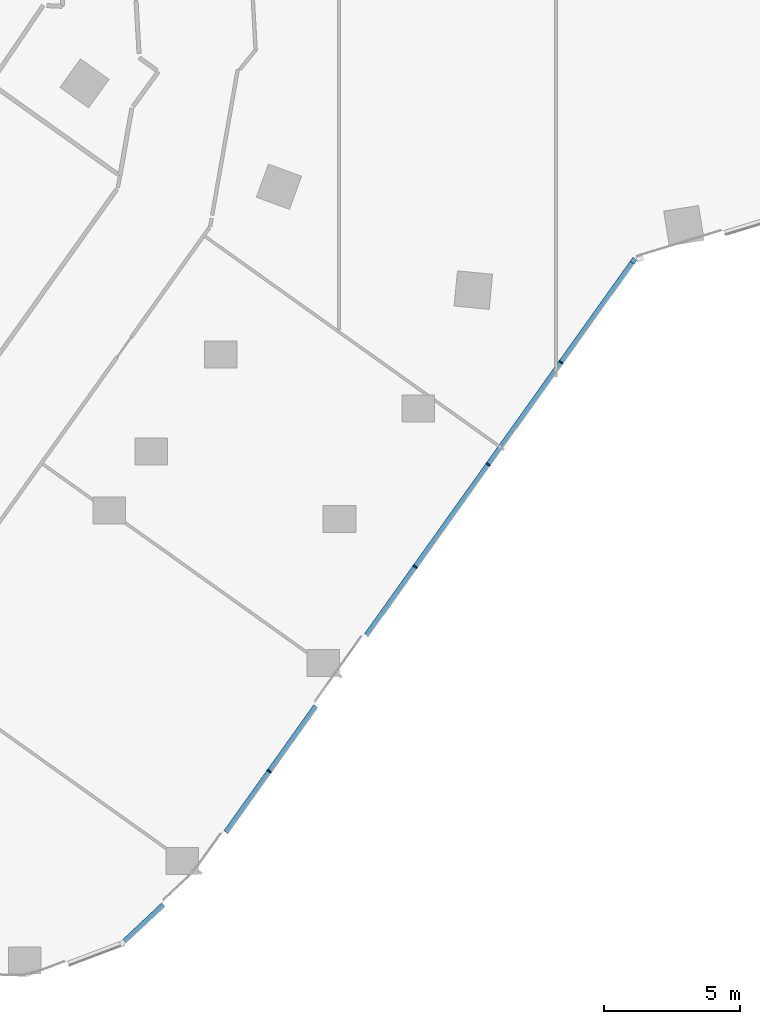
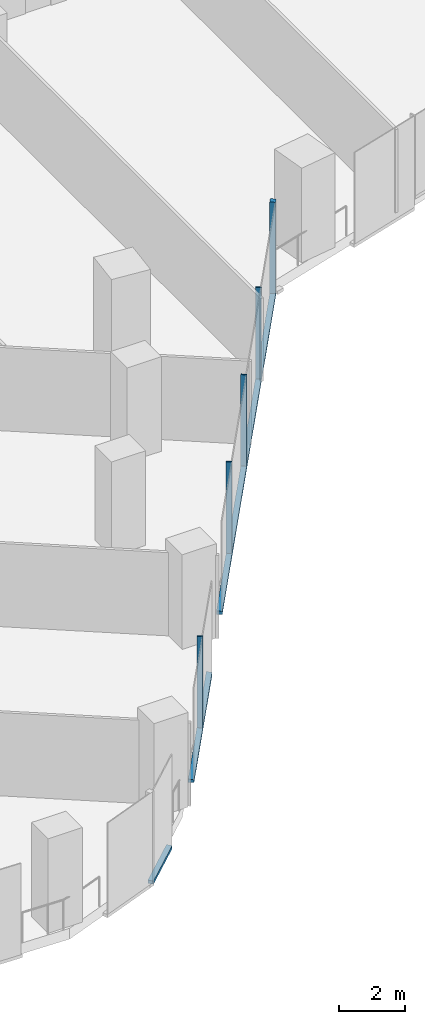
# One storey, part 4 of 30: 8 members, 2 elements without a shape of their own.
"""IFC4 building model written with IfcOpenShell, lengths in metres."""

from ifc_helpers import new_model, si_unit, direction, frame, origin, origin_2d, place, context, subcontext, project, spatial, rectangle, extrude, material, material_profile, profile_set, type_object, element, aggregate, save


model = new_model("IFC4")

# Units and contexts
model_context = context("Model", 3, precision=1e-05, world=origin(), true_north=direction((0.0, 1.0)))
body_context = subcontext(model_context, "Body", "Model", "MODEL_VIEW")
ifc_project = project(units=[si_unit("LENGTHUNIT", "METRE"), si_unit("AREAUNIT", "SQUARE_METRE"), si_unit("VOLUMEUNIT", "CUBIC_METRE"), si_unit("PLANEANGLEUNIT", "RADIAN"), si_unit("MASSUNIT", "GRAM", prefix="KILO")], contexts=[model_context])

# Site, building, storey
site_placement = place(None, origin())
site = spatial("IfcSite", under=ifc_project, at=site_placement, CompositionType="ELEMENT")
building_placement = place(site_placement, origin())
building = spatial("IfcBuilding", under=site, at=building_placement, Name="Orlundy Tower", CompositionType="ELEMENT")
storey_placement = place(building_placement, frame((0.0, 0.0, 80.699951171875)))
storey = spatial("IfcBuildingStorey", under=building, at=storey_placement, Name="L19", CompositionType="ELEMENT", Elevation=80.699951171875)

# Curtain wall, members
ifc_material_1 = material(Name="Aluminium bronze anodised", Category="aluminium")
curtain_wall_type = type_object("IfcCurtainWallType", Name="CW1 wall", PredefinedType="NOTDEFINED", material=ifc_material_1)
curtain_wall_1_placement = place(storey_placement, origin())
curtain_wall_1 = element("IfcCurtainWall", 1, at=curtain_wall_1_placement, inside=storey, type_object=curtain_wall_type, Name="CW1 run 018", PredefinedType="NOTDEFINED")
ifc_material_2 = material(Name="Aluminium bronze anodised", Category="aluminium")
ifc_material_profile_1 = material_profile(ifc_material_2, rectangle(XDim=0.179931640625, YDim=0.179931640625, at=origin_2d()), Name="CW1 corner post 180x180")
ifc_profile_set_1 = profile_set([ifc_material_profile_1], Name="Aluminium bronze anodised")
member_type_1 = type_object("IfcMemberType", Name="CW1 corner post 180x180", PredefinedType="MULLION", material=ifc_profile_set_1)
member_1_placement = place(storey_placement, frame((2.8564453125, -30.591064453125, -0.39990234375), z_axis=(0.0, 0.0, 1.0), x_axis=(0.814110230009, -0.580710369629, 0.0)))
member_1 = element("IfcMember", 2, at=member_1_placement, type_object=member_type_1, Name="CW1 mullion 51", PredefinedType="MULLION", context=body_context, shape_type="SweptSolid", body=[
    extrude(rectangle(XDim=0.179931640625, YDim=0.179931640625, at=origin_2d()), origin(), (0.0, 0.0, 1.0), 3.5),
])
ifc_material_3 = material(Name="Aluminium bronze anodised", Category="aluminium")
ifc_material_profile_2 = material_profile(ifc_material_3, rectangle(XDim=0.179931640625, YDim=0.050048828125, at=origin_2d()), Name="CW1 mullion 50x180")
ifc_profile_set_2 = profile_set([ifc_material_profile_2], Name="Aluminium bronze anodised")
member_type_2 = type_object("IfcMemberType", Name="CW1 mullion 50x180", PredefinedType="MULLION", material=ifc_profile_set_2)
member_2_placement = place(storey_placement, frame((0.18505859375, -34.336181640625, -0.39990234375), z_axis=(0.0, 0.0, 1.0), x_axis=(0.814110230009, -0.580710369629, 0.0)))
member_2 = element("IfcMember", 3, at=member_2_placement, type_object=member_type_2, Name="CW1 mullion 52", PredefinedType="MULLION", context=body_context, shape_type="SweptSolid", body=[
    extrude(rectangle(XDim=0.179931640625, YDim=0.050048828125, at=origin_2d()), origin(), (0.0, 0.0, 1.0), 3.5),
])
member_3_placement = place(storey_placement, frame((-2.504150390625, -38.106201171875, -0.39990234375), z_axis=(0.0, 0.0, 1.0), x_axis=(0.814110230009, -0.580710369629, 0.0)))
member_3 = element("IfcMember", 4, at=member_3_placement, type_object=member_type_2, Name="CW1 mullion 53", PredefinedType="MULLION", context=body_context, shape_type="SweptSolid", body=[
    extrude(rectangle(XDim=0.179931640625, YDim=0.050048828125, at=origin_2d()), origin(), (0.0, 0.0, 1.0), 3.5),
])
member_4_placement = place(storey_placement, frame((-5.193115234375, -41.876220703125, -0.39990234375), z_axis=(0.0, 0.0, 1.0), x_axis=(0.814110230009, -0.580710369629, 0.0)))
member_4 = element("IfcMember", 5, at=member_4_placement, type_object=member_type_2, Name="CW1 mullion 54", PredefinedType="MULLION", context=body_context, shape_type="SweptSolid", body=[
    extrude(rectangle(XDim=0.179931640625, YDim=0.050048828125, at=origin_2d()), origin(), (0.0, 0.0, 1.0), 3.5),
])
member_5_placement = place(storey_placement, frame((-10.571533203125, -49.416259765625, -0.39990234375), z_axis=(0.0, 0.0, 1.0), x_axis=(0.814110230009, -0.580710369629, 0.0)))
member_5 = element("IfcMember", 6, at=member_5_placement, type_object=member_type_2, Name="CW1 mullion 56", PredefinedType="MULLION", context=body_context, shape_type="SweptSolid", body=[
    extrude(rectangle(XDim=0.179931640625, YDim=0.050048828125, at=origin_2d()), origin(), (0.0, 0.0, 1.0), 3.5),
])
ifc_material_4 = material(Name="Aluminium bronze anodised", Category="aluminium")
ifc_material_profile_3 = material_profile(ifc_material_4, rectangle(XDim=0.179931640625, YDim=0.1201171875, at=origin_2d()), Name="CW1 transom 180x120")
ifc_profile_set_3 = profile_set([ifc_material_profile_3], Name="Aluminium bronze anodised")
member_type_3 = type_object("IfcMemberType", Name="CW1 transom 180x120", PredefinedType="USERDEFINED", material=ifc_profile_set_3)
member_6_placement = place(storey_placement, frame((2.80419921875, -30.664306640625, -0.33984375), z_axis=(-0.580706839072, -0.814112748368, 0.0), x_axis=(0.814112748368, -0.580706839072, 0.0)))
member_6 = element("IfcMember", 7, at=member_6_placement, type_object=member_type_3, Name="CW1 transom", ObjectType="TRANSOM", PredefinedType="USERDEFINED", context=body_context, shape_type="SweptSolid", body=[
    extrude(rectangle(XDim=0.179931640625, YDim=0.1201171875, at=origin_2d()), origin(), (0.0, 0.0, 1.0), 16.86767578125),
])
member_7_placement = place(storey_placement, frame((-8.859375, -47.01611328125, -0.33984375), z_axis=(-0.580728459984, -0.814097325732, 0.0), x_axis=(0.814097325732, -0.580728459984, 0.0)))
member_7 = element("IfcMember", 8, at=member_7_placement, type_object=member_type_3, Name="CW1 transom", ObjectType="TRANSOM", PredefinedType="USERDEFINED", context=body_context, shape_type="SweptSolid", body=[
    extrude(rectangle(XDim=0.179931640625, YDim=0.1201171875, at=origin_2d()), origin(), (0.0, 0.0, 1.0), 5.7099609375),
])
aggregate(curtain_wall_1, [member_1, member_2, member_3, member_4, member_5, member_6, member_7])

# Curtain wall, member
curtain_wall_2_placement = place(storey_placement, origin())
curtain_wall_2 = element("IfcCurtainWall", 9, at=curtain_wall_2_placement, inside=storey, type_object=curtain_wall_type, Name="CW1 run 019", PredefinedType="NOTDEFINED")
member_8_placement = place(storey_placement, frame((-14.482666015625, -54.338623046875, -0.33984375), z_axis=(-0.728218233803, -0.685345317308, 0.0), x_axis=(0.685345317308, -0.728218233803, 0.0)))
member_8 = element("IfcMember", 10, at=member_8_placement, type_object=member_type_3, Name="CW1 transom", ObjectType="TRANSOM", PredefinedType="USERDEFINED", context=body_context, shape_type="SweptSolid", body=[
    extrude(rectangle(XDim=0.179931640625, YDim=0.1201171875, at=origin_2d()), origin(), (0.0, 0.0, 1.0), 1.964599609375),
])
aggregate(curtain_wall_2, [member_8])

save(model, "model.ifc")
